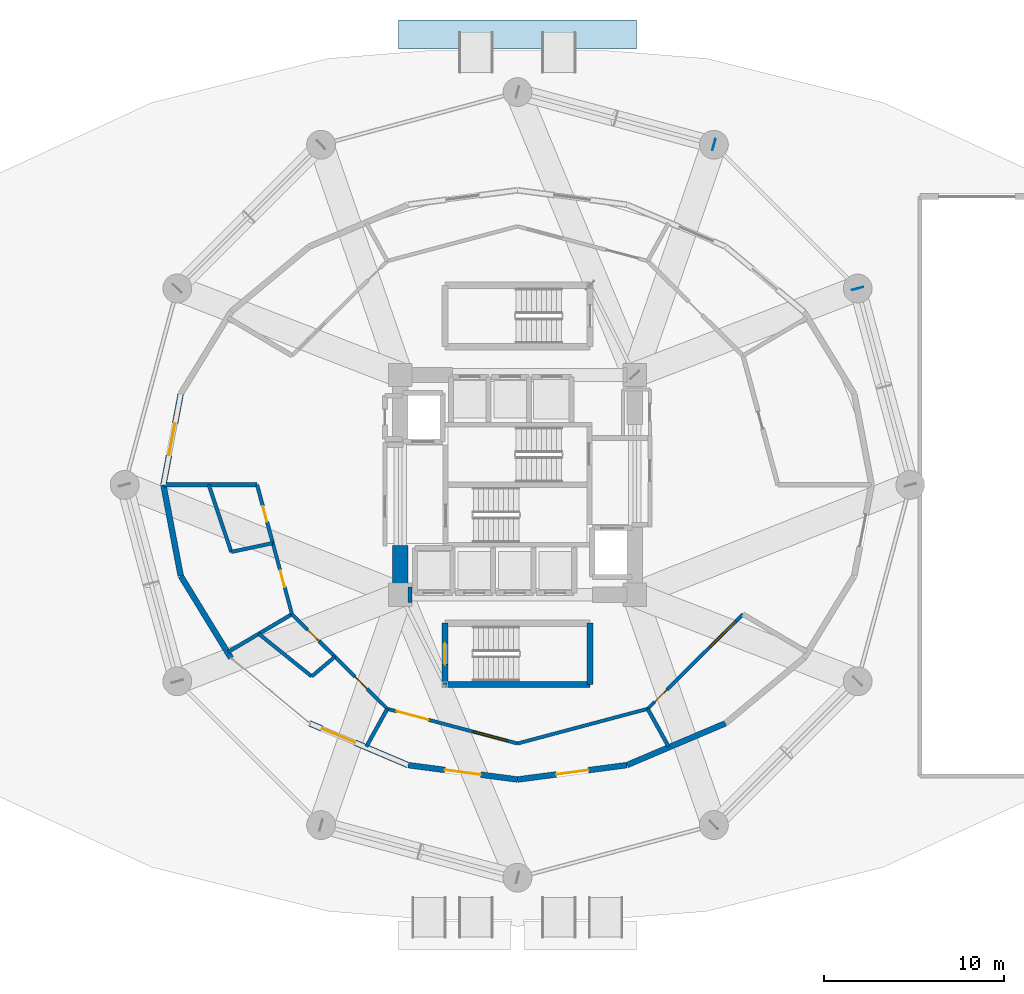
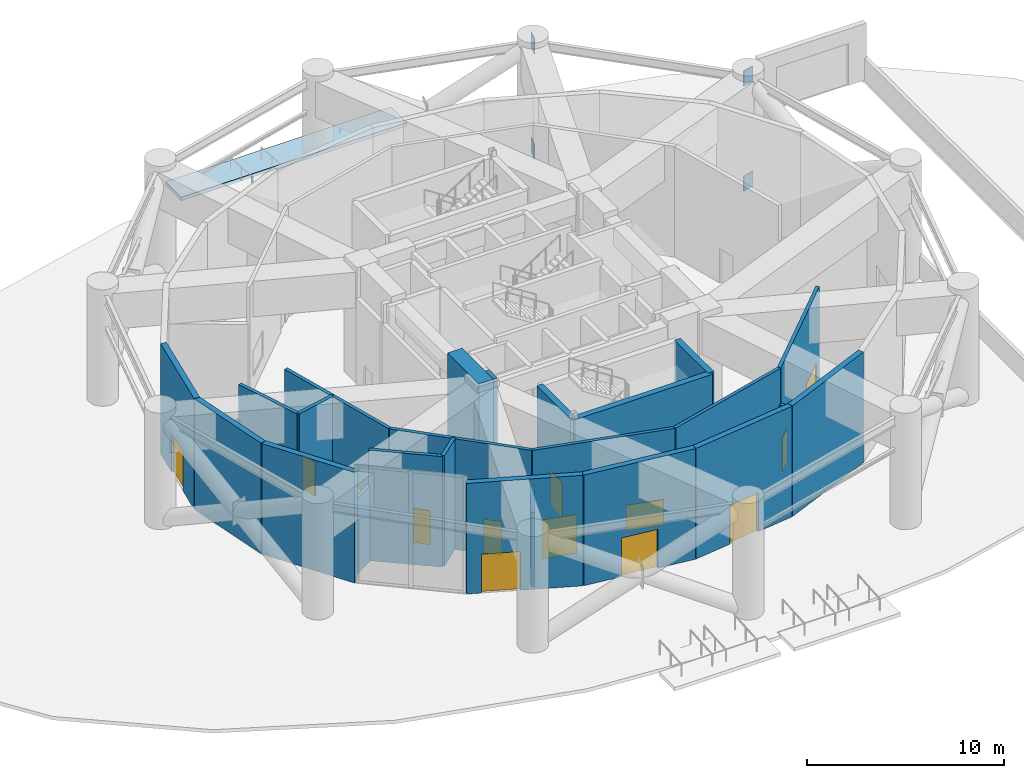
# One storey, part 9 of 16: 27 walls, 11 doors, 4 plates, 2 windows, 1 slab, 13 openings.
"""IFC4 building model written with IfcOpenShell, lengths in metres."""

from ifc_helpers import new_model, si_unit, direction, frame, frame_2d, origin, origin_2d, place, context, subcontext, project, spatial, polyline, rectangle, outline, extrude, material, layer, layer_set, type_object, element, fill, save


model = new_model("IFC4")

# Units and contexts
model_context = context("Model", 3, precision=1e-05, world=origin(), true_north=direction((0.0, 1.0)))
body_context = subcontext(model_context, "Body", "Model", "MODEL_VIEW")
ifc_project = project(units=[si_unit("LENGTHUNIT", "METRE"), si_unit("AREAUNIT", "SQUARE_METRE"), si_unit("VOLUMEUNIT", "CUBIC_METRE"), si_unit("PLANEANGLEUNIT", "RADIAN"), si_unit("MASSUNIT", "GRAM", prefix="KILO")], contexts=[model_context])

# Site, building, storey
site_placement = place(None, origin())
site = spatial("IfcSite", under=ifc_project, at=site_placement, CompositionType="ELEMENT")
building_placement = place(site_placement, origin())
building = spatial("IfcBuilding", under=site, at=building_placement, Name="Solvirekh Grand Hotel", CompositionType="ELEMENT")
storey_placement = place(building_placement, origin())
storey = spatial("IfcBuildingStorey", under=building, at=storey_placement, Name="L00", CompositionType="ELEMENT", Elevation=0.0)

# Slab
ifc_material_1 = material(Name="Granite Stone Cladding", Category="masonry")
ifc_layer_1 = layer(ifc_material_1, 0.219970703125)
ifc_layer_set_1 = layer_set([ifc_layer_1], Name="Granite Stone Cladding")
slab_type = type_object("IfcSlabType", Name="ExtPlazaPaving_220", PredefinedType="USERDEFINED", material=ifc_layer_set_1)
slab_placement = place(storey_placement, frame((0.0, 0.0, -0.219970703125)))
element("IfcSlab", 1, at=slab_placement, inside=storey, type_object=slab_type, Name="L00 entrance threshold paving apron 5", ObjectType="PAVING", PredefinedType="USERDEFINED", context=body_context, shape_type="SweptSolid", body=[
    extrude(outline(polyline([(-6.60009765625, 24.199951171875), (6.60009765625, 24.199951171875), (6.60009765625, 25.800048828125), (-6.60009765625, 25.800048828125), (-6.60009765625, 24.199951171875)])), origin(), (0.0, 0.0, 1.0), 0.219970703125),
])

# Plates
ifc_material_2 = material(Name="Steel S355", Category="steel")
ifc_layer_2 = layer(ifc_material_2, 0.0400390625)
ifc_layer_set_2 = layer_set([ifc_layer_2], Name="Steel S355")
plate_type = type_object("IfcPlateType", Name="NodeCapPlate_40", PredefinedType="SHEET", material=ifc_layer_set_2)
for number, where, z_axis, x_axis, name in (
    (2, (18.87890625, 10.89990234375, 6.1748046875), (0.0, 0.0, 1.0), (-0.258819045103, 0.965925826289, 0.0), "L00 hollow-section node plate NP-L00-STILT-01-A1"),
    (3, (18.87890625, 10.89990234375, -0.3251953125), (0.0, 0.0, 1.0), (-0.258819045103, 0.965925826289, 0.0), "L00 hollow-section node plate NP-L00-STILT-01-B0"),
    (4, (10.89990234375, 18.87890625, -0.3251953125), (0.0, 0.0, 1.0), (-0.965925826289, 0.258819045103, 0.0), "L00 hollow-section node plate NP-L00-STILT-03-A0"),
    (5, (10.89990234375, 18.87890625, 6.1748046875), (0.0, 0.0, 1.0), (-0.965925826289, 0.258819045103, 0.0), "L00 hollow-section node plate NP-L00-STILT-03-B1"),
):
    element("IfcPlate", number, at=place(storey_placement, frame(where, z_axis=z_axis, x_axis=x_axis)), inside=storey, type_object=plate_type, Name=name, PredefinedType="SHEET", context=body_context, shape_type="SweptSolid", body=[
        extrude(rectangle(XDim=0.0400390625, YDim=0.64990234375, at=origin_2d()), origin(), (0.0, 0.0, 1.0), 0.949951171875),
    ])

# Wall, opening, door
ifc_material_3 = material(Name="Concrete C50/60", Category="concrete")
ifc_layer_3 = layer(ifc_material_3, 0.35009765625)
ifc_layer_set_3 = layer_set([ifc_layer_3], Name="Concrete C50/60")
wall_type_1 = type_object("IfcWallType", Name="CoreDivWall_RC350", PredefinedType="SOLIDWALL", material=ifc_layer_set_3)
wall_1_placement = place(storey_placement, frame((-4.02490234375, -11.074951171875, 0.0), z_axis=(0.0, 0.0, 1.0), x_axis=(0.0, 1.0, 0.0)))
wall_1 = element("IfcWall", 6, at=wall_1_placement, inside=storey, type_object=wall_type_1, Name="L00 podium stair ST-3 west landing wall", PredefinedType="SOLIDWALL", context=body_context, shape_type="SweptSolid", body=[
    extrude(rectangle(XDim=3.39990234375, YDim=0.35009765625, at=frame_2d((1.699951171875, 0.0))), origin(), (0.0, 0.0, 1.0), 6.840087890625),
])
opening_1_placement = place(wall_1_placement, frame((1.10009765625, 0.0, 0.0)))
opening_1 = element("IfcOpeningElement", 7, at=opening_1_placement, cuts=wall_1, Name="Opening D05", PredefinedType="OPENING", context=body_context, shape_type="SweptSolid", body=[
    extrude(rectangle(XDim=1.199951171875, YDim=2.199951171875, at=frame_2d((0.60009765625, 1.10009765625))), frame((0.0, 0.18505859375, 0.0), z_axis=(0.0, -1.0, 0.0), x_axis=(1.0, 0.0, 0.0)), (0.0, 0.0, 1.0), 0.3701171875),
])
ifc_material_4 = material(Name="Fire-Rated Steel Door Assembly", Category="steel")
door_type_1 = type_object("IfcDoorType", Name="Door_StairCore_1200X2200", OperationType="NOTDEFINED", PredefinedType="DOOR", material=ifc_material_4)
door_1_placement = place(opening_1_placement, origin())
door_1 = element("IfcDoor", 8, at=door_1_placement, inside=storey, type_object=door_type_1, Name="L00 podium stair ST-3 fire door", OperationType="SINGLE_SWING_LEFT", OverallHeight=2.199951171875, OverallWidth=1.199951171875, PredefinedType="DOOR", context=body_context, shape_type="SweptSolid", body=[
    extrude(rectangle(XDim=1.199951171875, YDim=2.199951171875, at=frame_2d((0.60009765625, 1.10009765625))), frame((0.0, 0.02490234375, 0.0), z_axis=(0.0, -1.0, 0.0), x_axis=(1.0, 0.0, 0.0)), (0.0, 0.0, 1.0), 0.050048828125),
])
fill(opening_1, door_1)

# Walls
wall_2_placement = place(storey_placement, frame((-4.02490234375, -11.074951171875, 0.0), z_axis=(0.0, 0.0, 1.0), x_axis=(1.0, 0.0, 0.0)))
element("IfcWall", 9, at=wall_2_placement, inside=storey, type_object=wall_type_1, Name="L00 podium stair ST-3 S enclosure wall", PredefinedType="SOLIDWALL", context=body_context, shape_type="SweptSolid", body=[
    extrude(rectangle(XDim=8.0498046875, YDim=0.35009765625, at=frame_2d((4.02490234375, 0.0))), origin(), (0.0, 0.0, 1.0), 6.840087890625),
])
wall_3_placement = place(storey_placement, frame((4.02490234375, -11.074951171875, 0.0), z_axis=(0.0, 0.0, 1.0), x_axis=(0.0, 1.0, 0.0)))
element("IfcWall", 10, at=wall_3_placement, inside=storey, type_object=wall_type_1, Name="L00 podium stair ST-3 E enclosure wall", PredefinedType="SOLIDWALL", context=body_context, shape_type="SweptSolid", body=[
    extrude(rectangle(XDim=3.39990234375, YDim=0.35009765625, at=frame_2d((1.699951171875, 0.0))), origin(), (0.0, 0.0, 1.0), 6.840087890625),
])
ifc_material_5 = material(Name="Concrete C60/75", Category="concrete")
ifc_layer_4 = layer(ifc_material_5, 0.85009765625)
ifc_layer_set_4 = layer_set([ifc_layer_4], Name="Concrete C60/75")
wall_type_2 = type_object("IfcWallType", Name="CoreWall_RC850", PredefinedType="SHEAR", material=ifc_layer_set_4)
wall_4_placement = place(storey_placement, frame((-6.074951171875, -6.10009765625, 0.0), z_axis=(0.0, 0.0, 1.0), x_axis=(1.0, 0.0, 0.0)))
element("IfcWall", 11, at=wall_4_placement, inside=storey, type_object=wall_type_2, Name="L00 core corner shear wall SW-S", PredefinedType="SHEAR", context=body_context, shape_type="SweptSolid", body=[
    extrude(rectangle(XDim=0.224853515625, YDim=0.85009765625, at=frame_2d((0.1123046875, 0.0))), origin(), (0.0, 0.0, 1.0), 7.199951171875),
])
wall_5_placement = place(storey_placement, frame((-6.5, -6.52490234375, 0.0), z_axis=(0.0, 0.0, 1.0), x_axis=(0.0, 1.0, 0.0)))
element("IfcWall", 12, at=wall_5_placement, inside=storey, type_object=wall_type_2, Name="L00 core corner shear wall WS-W", PredefinedType="SHEAR", context=body_context, shape_type="SweptSolid", body=[
    extrude(rectangle(XDim=3.1748046875, YDim=0.85009765625, at=frame_2d((1.58740234375, 0.0))), origin(), (0.0, 0.0, 1.0), 7.199951171875),
])

# Wall, opening, door
ifc_material_6 = material(Name="Precast concrete C45/55", Category="concrete")
ifc_layer_5 = layer(ifc_material_6, 0.320068359375)
ifc_layer_set_5 = layer_set([ifc_layer_5], Name="Precast concrete C45/55")
wall_type_3 = type_object("IfcWallType", Name="ExtLobbyWall_RC320", PredefinedType="SOLIDWALL", material=ifc_layer_set_5)
wall_6_placement = place(storey_placement, frame((-19.64990234375, 0.0, 0.0), z_axis=(0.0, 0.0, 1.0), x_axis=(0.187042300785, 0.982351860444, 0.0)))
wall_6 = element("IfcWall", 13, at=wall_6_placement, inside=storey, type_object=wall_type_3, Name="L00 exterior structural wall chord 10", PredefinedType="SOLIDWALL", context=body_context, shape_type="SweptSolid", body=[
    extrude(rectangle(XDim=5.142822265625, YDim=0.320068359375, at=frame_2d((2.5712890625, 0.0))), origin(), (0.0, 0.0, 1.0), 6.840087890625),
])
opening_2_placement = place(wall_6_placement, frame((1.6708984375, 0.0, 0.0)))
opening_2 = element("IfcOpeningElement", 14, at=opening_2_placement, cuts=wall_6, Name="Opening D02", PredefinedType="OPENING", context=body_context, shape_type="SweptSolid", body=[
    extrude(rectangle(XDim=1.800048828125, YDim=2.39990234375, at=frame_2d((0.89990234375, 1.199951171875))), frame((0.0, 0.169921875, 0.0), z_axis=(0.0, -1.0, 0.0), x_axis=(1.0, 0.0, 0.0)), (0.0, 0.0, 1.0), 0.340087890625),
])
ifc_material_7 = material(Name="Anodized Bronze Aluminium 6063-T6", Category="aluminium")
door_type_2 = type_object("IfcDoorType", Name="Door_ExtExit_1800X2400", OperationType="NOTDEFINED", PredefinedType="DOOR", material=ifc_material_7)
door_2_placement = place(opening_2_placement, origin())
door_2 = element("IfcDoor", 15, at=door_2_placement, inside=storey, type_object=door_type_2, Name="L00 West protected exit passageway final discharge door (10)", OperationType="SINGLE_SWING_LEFT", OverallHeight=2.39990234375, OverallWidth=1.800048828125, PredefinedType="DOOR", context=body_context, shape_type="SweptSolid", body=[
    extrude(rectangle(XDim=1.800048828125, YDim=2.39990234375, at=frame_2d((0.89990234375, 1.199951171875))), frame((0.0, 0.02490234375, 0.0), z_axis=(0.0, -1.0, 0.0), x_axis=(1.0, 0.0, 0.0)), (0.0, 0.0, 1.0), 0.050048828125),
])
fill(opening_2, door_2)

# Walls
wall_7_placement = place(storey_placement, frame((-18.68798828125, -5.052001953125, 0.0), z_axis=(0.0, 0.0, 1.0), x_axis=(-0.187042300785, 0.982351860444, 0.0)))
element("IfcWall", 16, at=wall_7_placement, inside=storey, type_object=wall_type_3, Name="L00 exterior structural wall chord 11", PredefinedType="SOLIDWALL", context=body_context, shape_type="SweptSolid", body=[
    extrude(rectangle(XDim=5.142822265625, YDim=0.320068359375, at=frame_2d((2.5712890625, 0.0))), origin(), (0.0, 0.0, 1.0), 6.840087890625),
])
wall_8_placement = place(storey_placement, frame((-15.89697265625, -9.610107421875, 0.0), z_axis=(0.0, 0.0, 1.0), x_axis=(-0.522199966643, 0.852823073585, 0.0)))
element("IfcWall", 17, at=wall_8_placement, inside=storey, type_object=wall_type_3, Name="L00 exterior structural wall chord 12", PredefinedType="SOLIDWALL", context=body_context, shape_type="SweptSolid", body=[
    extrude(rectangle(XDim=5.3447265625, YDim=0.320068359375, at=frame_2d((2.67236328125, 0.0))), origin(), (0.0, 0.0, 1.0), 6.840087890625),
])

# Wall, opening, door
wall_9_placement = place(storey_placement, frame((-6.072021484375, -15.550048828125, 0.0), z_axis=(0.0, 0.0, 1.0), x_axis=(-0.920643013012, 0.390405484839, 0.0)))
wall_9 = element("IfcWall", 18, at=wall_9_placement, inside=storey, type_object=wall_type_3, Name="L00 exterior structural wall chord 14", PredefinedType="SOLIDWALL", context=body_context, shape_type="SweptSolid", body=[
    extrude(rectangle(XDim=5.9501953125, YDim=0.320068359375, at=frame_2d((2.97509765625, 0.0))), origin(), (0.0, 0.0, 1.0), 6.840087890625),
])
opening_3_placement = place(wall_9_placement, frame((3.18994140625, 0.0, 0.0)))
opening_3 = element("IfcOpeningElement", 19, at=opening_3_placement, cuts=wall_9, Name="Opening D01", PredefinedType="OPENING", context=body_context, shape_type="SweptSolid", body=[
    extrude(rectangle(XDim=2.0, YDim=2.39990234375, at=frame_2d((1.0, 1.199951171875))), frame((0.0, 0.169921875, 0.0), z_axis=(0.0, -1.0, 0.0), x_axis=(1.0, 0.0, 0.0)), (0.0, 0.0, 1.0), 0.340087890625),
])
door_type_3 = type_object("IfcDoorType", Name="Door_ExtExit_2000X2400", OperationType="NOTDEFINED", PredefinedType="DOOR", material=ifc_material_7)
door_3_placement = place(opening_3_placement, origin())
door_3 = element("IfcDoor", 20, at=door_3_placement, inside=storey, type_object=door_type_3, Name="L00 South grand lobby entrance door (14)", OperationType="SINGLE_SWING_RIGHT", OverallHeight=2.39990234375, OverallWidth=2.0, PredefinedType="DOOR", context=body_context, shape_type="SweptSolid", body=[
    extrude(rectangle(XDim=2.0, YDim=2.39990234375, at=frame_2d((1.0, 1.199951171875))), frame((0.0, 0.02490234375, 0.0), z_axis=(0.0, -1.0, 0.0), x_axis=(1.0, 0.0, 0.0)), (0.0, 0.0, 1.0), 0.050048828125),
])
fill(opening_3, door_3)

wall_10_placement = place(storey_placement, frame((0.0, -16.35009765625, 0.0), z_axis=(0.0, 0.0, 1.0), x_axis=(-0.991431078494, 0.130630840908, 0.0)))
wall_10 = element("IfcWall", 21, at=wall_10_placement, inside=storey, type_object=wall_type_3, Name="L00 exterior structural wall chord 15", PredefinedType="SOLIDWALL", context=body_context, shape_type="SweptSolid", body=[
    extrude(rectangle(XDim=6.12451171875, YDim=0.320068359375, at=frame_2d((3.062255859375, 0.0))), origin(), (0.0, 0.0, 1.0), 6.840087890625),
])
opening_4_placement = place(wall_10_placement, frame((2.06201171875, 0.0, 0.0)))
opening_4 = element("IfcOpeningElement", 22, at=opening_4_placement, cuts=wall_10, Name="Opening D01", PredefinedType="OPENING", context=body_context, shape_type="SweptSolid", body=[
    extrude(rectangle(XDim=2.0, YDim=2.39990234375, at=frame_2d((1.0, 1.199951171875))), frame((0.0, 0.169921875, 0.0), z_axis=(0.0, -1.0, 0.0), x_axis=(1.0, 0.0, 0.0)), (0.0, 0.0, 1.0), 0.340087890625),
])
door_4_placement = place(opening_4_placement, origin())
door_4 = element("IfcDoor", 23, at=door_4_placement, inside=storey, type_object=door_type_3, Name="L00 South arrival reception entrance door (15)", OperationType="SINGLE_SWING_LEFT", OverallHeight=2.39990234375, OverallWidth=2.0, PredefinedType="DOOR", context=body_context, shape_type="SweptSolid", body=[
    extrude(rectangle(XDim=2.0, YDim=2.39990234375, at=frame_2d((1.0, 1.199951171875))), frame((0.0, 0.02490234375, 0.0), z_axis=(0.0, -1.0, 0.0), x_axis=(1.0, 0.0, 0.0)), (0.0, 0.0, 1.0), 0.050048828125),
])
fill(opening_4, door_4)

wall_11_placement = place(storey_placement, frame((6.072021484375, -15.550048828125, 0.0), z_axis=(0.0, 0.0, 1.0), x_axis=(-0.991431078494, -0.130630840908, 0.0)))
wall_11 = element("IfcWall", 24, at=wall_11_placement, inside=storey, type_object=wall_type_3, Name="L00 exterior structural wall chord 16", PredefinedType="SOLIDWALL", context=body_context, shape_type="SweptSolid", body=[
    extrude(rectangle(XDim=6.12451171875, YDim=0.320068359375, at=frame_2d((3.062255859375, 0.0))), origin(), (0.0, 0.0, 1.0), 6.840087890625),
])
opening_5_placement = place(wall_11_placement, frame((2.162109375, 0.0, 0.0)))
opening_5 = element("IfcOpeningElement", 25, at=opening_5_placement, cuts=wall_11, Name="Opening D02", PredefinedType="OPENING", context=body_context, shape_type="SweptSolid", body=[
    extrude(rectangle(XDim=1.800048828125, YDim=2.39990234375, at=frame_2d((0.89990234375, 1.199951171875))), frame((0.0, 0.169921875, 0.0), z_axis=(0.0, -1.0, 0.0), x_axis=(1.0, 0.0, 0.0)), (0.0, 0.0, 1.0), 0.340087890625),
])
door_5_placement = place(opening_5_placement, origin())
door_5 = element("IfcDoor", 26, at=door_5_placement, inside=storey, type_object=door_type_2, Name="L00 South reception salon plaza exit door (16)", OperationType="SINGLE_SWING_RIGHT", OverallHeight=2.39990234375, OverallWidth=1.800048828125, PredefinedType="DOOR", context=body_context, shape_type="SweptSolid", body=[
    extrude(rectangle(XDim=1.800048828125, YDim=2.39990234375, at=frame_2d((0.89990234375, 1.199951171875))), frame((0.0, 0.02490234375, 0.0), z_axis=(0.0, -1.0, 0.0), x_axis=(1.0, 0.0, 0.0)), (0.0, 0.0, 1.0), 0.050048828125),
])
fill(opening_5, door_5)

# Wall
wall_12_placement = place(storey_placement, frame((11.550048828125, -13.22705078125, 0.0), z_axis=(0.0, 0.0, 1.0), x_axis=(-0.920643013012, -0.390405484839, 0.0)))
element("IfcWall", 27, at=wall_12_placement, inside=storey, type_object=wall_type_3, Name="L00 exterior structural wall chord 17", PredefinedType="SOLIDWALL", context=body_context, shape_type="SweptSolid", body=[
    extrude(rectangle(XDim=5.9501953125, YDim=0.320068359375, at=frame_2d((2.97509765625, 0.0))), origin(), (0.0, 0.0, 1.0), 6.840087890625),
])

# Wall, opening, door
ifc_material_8 = material(Name="Acoustic Gypsum Partition Assembly")
ifc_layer_6 = layer(ifc_material_8, 0.18994140625)
ifc_layer_set_6 = layer_set([ifc_layer_6], Name="Acoustic Gypsum Partition Assembly")
wall_type_4 = type_object("IfcWallType", Name="Part_GuestDemise_190", PredefinedType="PARTITIONING", material=ifc_layer_set_6)
wall_13_placement = place(storey_placement, frame((-13.5791015625, -3.22900390625, 0.0), z_axis=(0.0, 0.0, 1.0), x_axis=(0.260609621942, -0.965444262996, 0.0)))
wall_13 = element("IfcWall", 28, at=wall_13_placement, inside=storey, type_object=wall_type_4, Name="L00 Arrival Cloakroom & Bell Store corridor wall", PredefinedType="PARTITIONING", context=body_context, shape_type="SweptSolid", body=[
    extrude(rectangle(XDim=4.08740234375, YDim=0.18994140625, at=frame_2d((2.043701171875, 0.0))), origin(), (0.0, 0.0, 1.0), 6.840087890625),
])
opening_6_placement = place(wall_13_placement, frame((1.569091796875, 0.0, 0.0)))
opening_6 = element("IfcOpeningElement", 29, at=opening_6_placement, cuts=wall_13, Name="Opening D10", PredefinedType="OPENING", context=body_context, shape_type="SweptSolid", body=[
    extrude(rectangle(XDim=0.949951171875, YDim=2.10009765625, at=frame_2d((0.47509765625, 1.050048828125))), frame((0.0, 0.10498046875, 0.0), z_axis=(0.0, -1.0, 0.0), x_axis=(1.0, 0.0, 0.0)), (0.0, 0.0, 1.0), 0.2099609375),
])
door_type_4 = type_object("IfcDoorType", Name="Door_RoomInt_950X2100", OperationType="NOTDEFINED", PredefinedType="DOOR", material=ifc_material_7)
door_6_placement = place(opening_6_placement, origin())
door_6 = element("IfcDoor", 30, at=door_6_placement, inside=storey, type_object=door_type_4, Name="L00 Arrival Cloakroom & Bell Store entrance door", OperationType="SINGLE_SWING_RIGHT", OverallHeight=2.10009765625, OverallWidth=0.949951171875, PredefinedType="DOOR", context=body_context, shape_type="SweptSolid", body=[
    extrude(rectangle(XDim=0.949951171875, YDim=2.10009765625, at=frame_2d((0.47509765625, 1.050048828125))), frame((0.0, 0.02490234375, 0.0), z_axis=(0.0, -1.0, 0.0), x_axis=(1.0, 0.0, 0.0)), (0.0, 0.0, 1.0), 0.050048828125),
])
fill(opening_6, door_6)

wall_14_placement = place(storey_placement, frame((-10.134033203125, -9.5380859375, 0.0), z_axis=(0.0, 0.0, 1.0), x_axis=(0.709544136177, -0.704660995668, 0.0)))
wall_14 = element("IfcWall", 31, at=wall_14_placement, inside=storey, type_object=wall_type_4, Name="L00 VIP Valet Reception Salon corridor wall", PredefinedType="PARTITIONING", context=body_context, shape_type="SweptSolid", body=[
    extrude(rectangle(XDim=4.099609375, YDim=0.18994140625, at=frame_2d((2.0498046875, 0.0))), origin(), (0.0, 0.0, 1.0), 6.840087890625),
])
opening_7_placement = place(wall_14_placement, frame((1.574951171875, 0.0, 0.0)))
opening_7 = element("IfcOpeningElement", 32, at=opening_7_placement, cuts=wall_14, Name="Opening D10", PredefinedType="OPENING", context=body_context, shape_type="SweptSolid", body=[
    extrude(rectangle(XDim=0.949951171875, YDim=2.10009765625, at=frame_2d((0.47509765625, 1.050048828125))), frame((0.0, 0.10498046875, 0.0), z_axis=(0.0, -1.0, 0.0), x_axis=(1.0, 0.0, 0.0)), (0.0, 0.0, 1.0), 0.2099609375),
])
door_7_placement = place(opening_7_placement, origin())
door_7 = element("IfcDoor", 33, at=door_7_placement, inside=storey, type_object=door_type_4, Name="L00 VIP Valet Reception Salon entrance door", OperationType="SINGLE_SWING_RIGHT", OverallHeight=2.10009765625, OverallWidth=0.949951171875, PredefinedType="DOOR", context=body_context, shape_type="SweptSolid", body=[
    extrude(rectangle(XDim=0.949951171875, YDim=2.10009765625, at=frame_2d((0.47509765625, 1.050048828125))), frame((0.0, 0.02490234375, 0.0), z_axis=(0.0, -1.0, 0.0), x_axis=(1.0, 0.0, 0.0)), (0.0, 0.0, 1.0), 0.050048828125),
])
fill(opening_7, door_7)

# Wall, openings, door, window
wall_15_placement = place(storey_placement, frame((-7.22509765625, -12.427001953125, 0.0), z_axis=(0.0, 0.0, 1.0), x_axis=(0.966354610728, -0.25721346451, 0.0)))
wall_15 = element("IfcWall", 34, at=wall_15_placement, inside=storey, type_object=wall_type_4, Name="L00 Grand Hotel Arrival & Reception Lobby corridor wall", PredefinedType="PARTITIONING", context=body_context, shape_type="SweptSolid", body=[
    extrude(rectangle(XDim=7.4765625, YDim=0.18994140625, at=frame_2d((3.73828125, 0.0))), origin(), (0.0, 0.0, 1.0), 6.840087890625),
])
opening_8_placement = place(wall_15_placement, frame((0.550048828125, 0.0, 0.0)))
opening_8 = element("IfcOpeningElement", 35, at=opening_8_placement, cuts=wall_15, Name="Opening D11", PredefinedType="OPENING", context=body_context, shape_type="SweptSolid", body=[
    extrude(rectangle(XDim=1.800048828125, YDim=2.39990234375, at=frame_2d((0.89990234375, 1.199951171875))), frame((0.0, 0.10498046875, 0.0), z_axis=(0.0, -1.0, 0.0), x_axis=(1.0, 0.0, 0.0)), (0.0, 0.0, 1.0), 0.2099609375),
])
opening_9_placement = place(wall_15_placement, frame((4.927001953125, 0.0, 0.89990234375)))
opening_9 = element("IfcOpeningElement", 36, at=opening_9_placement, cuts=wall_15, Name="Opening W03", PredefinedType="OPENING", context=body_context, shape_type="SweptSolid", body=[
    extrude(rectangle(XDim=2.0, YDim=1.60009765625, at=frame_2d((1.0, 0.800048828125))), frame((0.0, 0.10498046875, 0.0), z_axis=(0.0, -1.0, 0.0), x_axis=(1.0, 0.0, 0.0)), (0.0, 0.0, 1.0), 0.2099609375),
])
door_type_5 = type_object("IfcDoorType", Name="Door_Ballroom_1800X2400", OperationType="NOTDEFINED", PredefinedType="DOOR", material=ifc_material_4)
door_8_placement = place(opening_8_placement, origin())
door_8 = element("IfcDoor", 37, at=door_8_placement, inside=storey, type_object=door_type_5, Name="L00 Grand Hotel Arrival & Reception Lobby entrance door", OperationType="SINGLE_SWING_LEFT", OverallHeight=2.39990234375, OverallWidth=1.800048828125, PredefinedType="DOOR", context=body_context, shape_type="SweptSolid", body=[
    extrude(rectangle(XDim=1.800048828125, YDim=2.39990234375, at=frame_2d((0.89990234375, 1.199951171875))), frame((0.0, 0.02490234375, 0.0), z_axis=(0.0, -1.0, 0.0), x_axis=(1.0, 0.0, 0.0)), (0.0, 0.0, 1.0), 0.050048828125),
])
fill(opening_8, door_8)
ifc_material_9 = material(Name="Fire-Rated Ceramic Glazing", Category="glass")
window_type = type_object("IfcWindowType", Name="Win_FoyerInt_2000X1600", PartitioningType="SINGLE_PANEL", PredefinedType="WINDOW", material=ifc_material_9)
window_1_placement = place(opening_9_placement, origin())
window_1 = element("IfcWindow", 38, at=window_1_placement, inside=storey, type_object=window_type, Name="L00 Grand Hotel Arrival & Reception Lobby interior glazed screen", OverallHeight=1.60009765625, OverallWidth=2.0, PartitioningType="SINGLE_PANEL", PredefinedType="WINDOW", context=body_context, shape_type="SweptSolid", body=[
    extrude(rectangle(XDim=2.0, YDim=1.60009765625, at=frame_2d((1.0, 0.800048828125))), frame((0.0, 0.030029296875, 0.0), z_axis=(0.0, -1.0, 0.0), x_axis=(1.0, 0.0, 0.0)), (0.0, 0.0, 1.0), 0.06005859375),
])
fill(opening_9, window_1)

# Wall
wall_16_placement = place(storey_placement, frame((0.0, -14.35009765625, 0.0), z_axis=(0.0, 0.0, 1.0), x_axis=(0.966354610728, 0.25721346451, 0.0)))
element("IfcWall", 39, at=wall_16_placement, inside=storey, type_object=wall_type_4, Name="L00 Grand Hotel Arrival & Reception Lobby corridor wall 2", PredefinedType="PARTITIONING", context=body_context, shape_type="SweptSolid", body=[
    extrude(rectangle(XDim=7.4765625, YDim=0.18994140625, at=frame_2d((3.73828125, 0.0))), origin(), (0.0, 0.0, 1.0), 6.840087890625),
])

# Wall, openings, door, window
wall_17_placement = place(storey_placement, frame((7.22509765625, -12.427001953125, 0.0), z_axis=(0.0, 0.0, 1.0), x_axis=(0.709575472763, 0.704629440524, 0.0)))
wall_17 = element("IfcWall", 40, at=wall_17_placement, inside=storey, type_object=wall_type_4, Name="L00 Constructivist Atrium Espresso Bar corridor wall", PredefinedType="PARTITIONING", context=body_context, shape_type="SweptSolid", body=[
    extrude(rectangle(XDim=7.45361328125, YDim=0.18994140625, at=frame_2d((3.726806640625, 0.0))), origin(), (0.0, 0.0, 1.0), 6.840087890625),
])
opening_10_placement = place(wall_17_placement, frame((0.550048828125, 0.0, 0.0)))
opening_10 = element("IfcOpeningElement", 41, at=opening_10_placement, cuts=wall_17, Name="Opening D10", PredefinedType="OPENING", context=body_context, shape_type="SweptSolid", body=[
    extrude(rectangle(XDim=0.949951171875, YDim=2.10009765625, at=frame_2d((0.47509765625, 1.050048828125))), frame((0.0, 0.10498046875, 0.0), z_axis=(0.0, -1.0, 0.0), x_axis=(1.0, 0.0, 0.0)), (0.0, 0.0, 1.0), 0.2099609375),
])
opening_11_placement = place(wall_17_placement, frame((4.904052734375, 0.0, 0.89990234375)))
opening_11 = element("IfcOpeningElement", 42, at=opening_11_placement, cuts=wall_17, Name="Opening W03", PredefinedType="OPENING", context=body_context, shape_type="SweptSolid", body=[
    extrude(rectangle(XDim=2.0, YDim=1.60009765625, at=frame_2d((1.0, 0.800048828125))), frame((0.0, 0.10498046875, 0.0), z_axis=(0.0, -1.0, 0.0), x_axis=(1.0, 0.0, 0.0)), (0.0, 0.0, 1.0), 0.2099609375),
])
door_9_placement = place(opening_10_placement, origin())
door_9 = element("IfcDoor", 43, at=door_9_placement, inside=storey, type_object=door_type_4, Name="L00 Constructivist Atrium Espresso Bar entrance door", OperationType="SINGLE_SWING_RIGHT", OverallHeight=2.10009765625, OverallWidth=0.949951171875, PredefinedType="DOOR", context=body_context, shape_type="SweptSolid", body=[
    extrude(rectangle(XDim=0.949951171875, YDim=2.10009765625, at=frame_2d((0.47509765625, 1.050048828125))), frame((0.0, 0.02490234375, 0.0), z_axis=(0.0, -1.0, 0.0), x_axis=(1.0, 0.0, 0.0)), (0.0, 0.0, 1.0), 0.050048828125),
])
fill(opening_10, door_9)
window_2_placement = place(opening_11_placement, origin())
window_2 = element("IfcWindow", 44, at=window_2_placement, inside=storey, type_object=window_type, Name="L00 Constructivist Atrium Espresso Bar interior glazed screen", OverallHeight=1.60009765625, OverallWidth=2.0, PartitioningType="SINGLE_PANEL", PredefinedType="WINDOW", context=body_context, shape_type="SweptSolid", body=[
    extrude(rectangle(XDim=2.0, YDim=1.60009765625, at=frame_2d((1.0, 0.800048828125))), frame((0.0, 0.030029296875, 0.0), z_axis=(0.0, -1.0, 0.0), x_axis=(1.0, 0.0, 0.0)), (0.0, 0.0, 1.0), 0.06005859375),
])
fill(opening_11, window_2)

# Walls
ifc_layer_7 = layer(ifc_material_8, 0.260009765625)
ifc_layer_set_7 = layer_set([ifc_layer_7], Name="Acoustic Gypsum Partition Assembly")
wall_type_5 = type_object("IfcWallType", Name="Part_LobbyFF_260", PredefinedType="PARTITIONING", material=ifc_layer_set_7)
wall_18_placement = place(storey_placement, frame((-14.449951171875, 0.0, 0.0), z_axis=(0.0, 0.0, 1.0), x_axis=(-1.0, 0.0, 0.0)))
element("IfcWall", 45, at=wall_18_placement, inside=storey, type_object=wall_type_5, Name="L00 radial demising wall 7", PredefinedType="PARTITIONING", context=body_context, shape_type="SweptSolid", body=[
    extrude(rectangle(XDim=5.16015625, YDim=0.260009765625, at=frame_2d((2.580078125, 0.0))), origin(), (0.0, 0.0, 1.0), 4.625),
])
ifc_layer_8 = layer(ifc_material_8, 0.2099609375)
ifc_layer_set_8 = layer_set([ifc_layer_8], Name="Acoustic Gypsum Partition Assembly")
wall_type_6 = type_object("IfcWallType", Name="Part_SuiteDemise_210", PredefinedType="PARTITIONING", material=ifc_layer_set_8)
wall_19_placement = place(storey_placement, frame((-12.513916015625, -7.175048828125, 0.0), z_axis=(0.0, 0.0, 1.0), x_axis=(-0.860750596586, -0.509026925101, 0.0)))
element("IfcWall", 46, at=wall_19_placement, inside=storey, type_object=wall_type_6, Name="L00 radial demising wall 8", PredefinedType="PARTITIONING", context=body_context, shape_type="SweptSolid", body=[
    extrude(rectangle(XDim=4.11767578125, YDim=0.2099609375, at=frame_2d((2.058837890625, 0.0))), origin(), (0.0, 0.0, 1.0), 4.625),
])
for number, where, z_axis, x_axis, name in (
    (47, (-7.22509765625, -12.427001953125, 0.0), (0.0, 0.0, 1.0), (-0.484172522816, -0.874972552798, 0.0), "L00 radial demising wall 9"),
    (48, (7.22509765625, -12.427001953125, 0.0), (0.0, 0.0, 1.0), (0.484172522816, -0.874972552798, 0.0), "L00 radial demising wall 11"),
):
    element("IfcWall", number, at=place(storey_placement, frame(where, z_axis=z_axis, x_axis=x_axis)), inside=storey, type_object=wall_type_6, Name=name, PredefinedType="PARTITIONING", context=body_context, shape_type="SweptSolid", body=[
        extrude(rectangle(XDim=2.397705078125, YDim=0.2099609375, at=frame_2d((1.19873046875, 0.0))), origin(), (0.0, 0.0, 1.0), 4.625),
    ])

# Wall, opening, door
ifc_layer_9 = layer(ifc_material_8, 0.199951171875)
ifc_layer_set_9 = layer_set([ifc_layer_9], Name="Acoustic Gypsum Partition Assembly")
wall_type_7 = type_object("IfcWallType", Name="Plumb_PublicWC_200", PredefinedType="PLUMBINGWALL", material=ifc_layer_set_9)
wall_20_placement = place(storey_placement, frame((-14.449951171875, 0.0, 0.0), z_axis=(0.0, 0.0, 1.0), x_axis=(0.260392320077, -0.965502894685, 0.0)))
wall_20 = element("IfcWall", 49, at=wall_20_placement, inside=storey, type_object=wall_type_7, Name="L00 Ground Lobby Accessible WC corridor wall", PredefinedType="PLUMBINGWALL", context=body_context, shape_type="SweptSolid", body=[
    extrude(rectangle(XDim=3.344482421875, YDim=0.199951171875, at=frame_2d((1.67236328125, 0.0))), origin(), (0.0, 0.0, 1.0), 6.840087890625),
])
opening_12_placement = place(wall_20_placement, frame((1.221923828125, 0.0, 0.0)))
opening_12 = element("IfcOpeningElement", 50, at=opening_12_placement, cuts=wall_20, Name="Opening D09", PredefinedType="OPENING", context=body_context, shape_type="SweptSolid", body=[
    extrude(rectangle(XDim=0.89990234375, YDim=2.10009765625, at=frame_2d((0.449951171875, 1.050048828125))), frame((0.0, 0.10986328125, 0.0), z_axis=(0.0, -1.0, 0.0), x_axis=(1.0, 0.0, 0.0)), (0.0, 0.0, 1.0), 0.219970703125),
])
door_type_6 = type_object("IfcDoorType", Name="Door_Ensuite_900X2100", OperationType="NOTDEFINED", PredefinedType="DOOR", material=ifc_material_7)
door_10_placement = place(opening_12_placement, origin())
door_10 = element("IfcDoor", 51, at=door_10_placement, inside=storey, type_object=door_type_6, Name="L00 Ground Lobby Accessible WC entrance door", OperationType="SINGLE_SWING_LEFT", OverallHeight=2.10009765625, OverallWidth=0.89990234375, PredefinedType="DOOR", context=body_context, shape_type="SweptSolid", body=[
    extrude(rectangle(XDim=0.89990234375, YDim=2.10009765625, at=frame_2d((0.449951171875, 1.050048828125))), frame((0.0, 0.02490234375, 0.0), z_axis=(0.0, -1.0, 0.0), x_axis=(1.0, 0.0, 0.0)), (0.0, 0.0, 1.0), 0.050048828125),
])
fill(opening_12, door_10)

# Walls
wall_21_placement = place(storey_placement, frame((-17.133056640625, 0.0, 0.0), z_axis=(0.0, 0.0, 1.0), x_axis=(0.318373926593, -0.947965211844, 0.0)))
element("IfcWall", 52, at=wall_21_placement, inside=storey, type_object=wall_type_7, Name="L00 Ground Lobby Accessible WC outer plumbing wall", PredefinedType="PLUMBINGWALL", context=body_context, shape_type="SweptSolid", body=[
    extrude(rectangle(XDim=3.923095703125, YDim=0.199951171875, at=frame_2d((1.96142578125, 0.0))), origin(), (0.0, 0.0, 1.0), 6.840087890625),
])
wall_22_placement = place(storey_placement, frame((-13.5791015625, -3.22900390625, 0.0), z_axis=(0.0, 0.0, 1.0), x_axis=(-0.978142259105, -0.207936819619, 0.0)))
element("IfcWall", 53, at=wall_22_placement, inside=storey, type_object=wall_type_7, Name="L00 Ground Lobby Accessible WC dividing plumbing wall", PredefinedType="PLUMBINGWALL", context=body_context, shape_type="SweptSolid", body=[
    extrude(rectangle(XDim=2.3564453125, YDim=0.199951171875, at=frame_2d((1.17822265625, 0.0))), origin(), (0.0, 0.0, 1.0), 6.840087890625),
])

# Wall, opening, door
wall_23_placement = place(storey_placement, frame((-12.513916015625, -7.175048828125, 0.0), z_axis=(0.0, 0.0, 1.0), x_axis=(0.709613777387, -0.704590864929, 0.0)))
wall_23 = element("IfcWall", 54, at=wall_23_placement, inside=storey, type_object=wall_type_7, Name="L00 Ground Lobby Public Restroom corridor wall", PredefinedType="PLUMBINGWALL", context=body_context, shape_type="SweptSolid", body=[
    extrude(rectangle(XDim=3.353759765625, YDim=0.199951171875, at=frame_2d((1.6767578125, 0.0))), origin(), (0.0, 0.0, 1.0), 6.840087890625),
])
opening_13_placement = place(wall_23_placement, frame((1.22705078125, 0.0, 0.0)))
opening_13 = element("IfcOpeningElement", 55, at=opening_13_placement, cuts=wall_23, Name="Opening D09", PredefinedType="OPENING", context=body_context, shape_type="SweptSolid", body=[
    extrude(rectangle(XDim=0.89990234375, YDim=2.10009765625, at=frame_2d((0.449951171875, 1.050048828125))), frame((0.0, 0.10986328125, 0.0), z_axis=(0.0, -1.0, 0.0), x_axis=(1.0, 0.0, 0.0)), (0.0, 0.0, 1.0), 0.219970703125),
])
door_11_placement = place(opening_13_placement, origin())
door_11 = element("IfcDoor", 56, at=door_11_placement, inside=storey, type_object=door_type_6, Name="L00 Ground Lobby Public Restroom entrance door", OperationType="SINGLE_SWING_LEFT", OverallHeight=2.10009765625, OverallWidth=0.89990234375, PredefinedType="DOOR", context=body_context, shape_type="SweptSolid", body=[
    extrude(rectangle(XDim=0.89990234375, YDim=2.10009765625, at=frame_2d((0.449951171875, 1.050048828125))), frame((0.0, 0.02490234375, 0.0), z_axis=(0.0, -1.0, 0.0), x_axis=(1.0, 0.0, 0.0)), (0.0, 0.0, 1.0), 0.050048828125),
])
fill(opening_13, door_11)

# Walls
wall_24_placement = place(storey_placement, frame((-14.35693359375, -8.264892578125, 0.0), z_axis=(0.0, 0.0, 1.0), x_axis=(0.779229949354, -0.626738131942, 0.0)))
element("IfcWall", 57, at=wall_24_placement, inside=storey, type_object=wall_type_7, Name="L00 Ground Lobby Public Restroom outer plumbing wall", PredefinedType="PLUMBINGWALL", context=body_context, shape_type="SweptSolid", body=[
    extrude(rectangle(XDim=3.770263671875, YDim=0.199951171875, at=frame_2d((1.88525390625, 0.0))), origin(), (0.0, 0.0, 1.0), 6.840087890625),
])
wall_25_placement = place(storey_placement, frame((-10.134033203125, -9.5380859375, 0.0), z_axis=(0.0, 0.0, 1.0), x_axis=(-0.762621765575, -0.646844682031, 0.0)))
element("IfcWall", 58, at=wall_25_placement, inside=storey, type_object=wall_type_7, Name="L00 Ground Lobby Public Restroom dividing plumbing wall", PredefinedType="PLUMBINGWALL", context=body_context, shape_type="SweptSolid", body=[
    extrude(rectangle(XDim=1.684814453125, YDim=0.199951171875, at=frame_2d((0.84228515625, 0.0))), origin(), (0.0, 0.0, 1.0), 6.840087890625),
])

save(model, "model.ifc")
